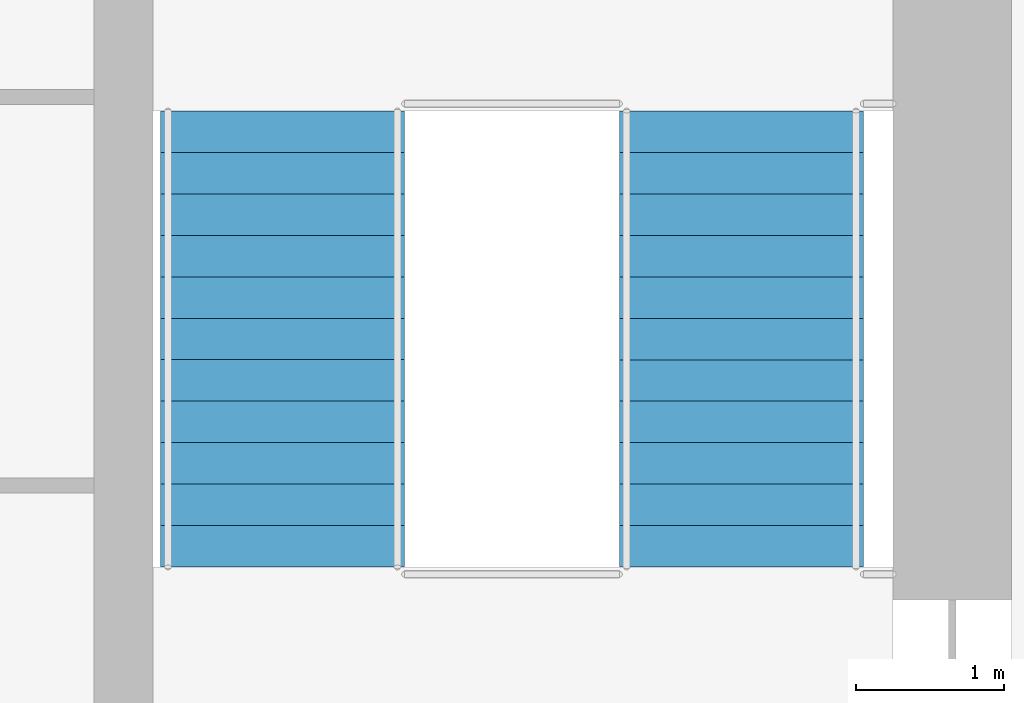
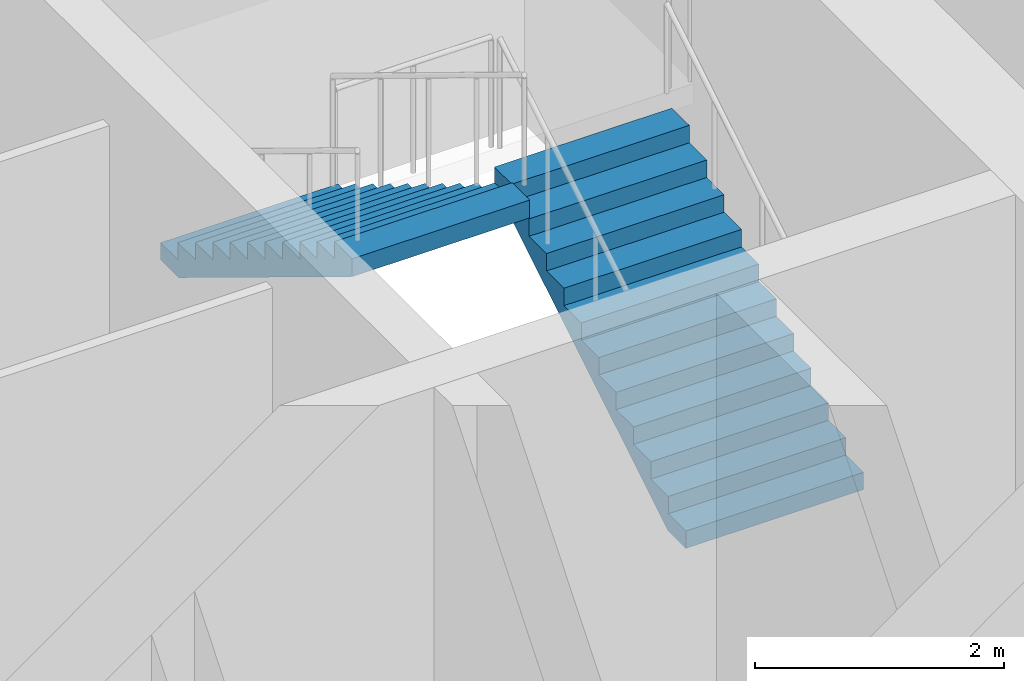
# One storey, part 9 of 18: 2 stair flights, 1 element without a shape of its own.
"""IFC4 building model written with IfcOpenShell, lengths in metres."""

from ifc_helpers import new_model, si_unit, direction, frame, origin, place, context, subcontext, project, spatial, polyline, outline, extrude, material, type_object, element, aggregate, save


model = new_model("IFC4")

# Units and contexts
model_context = context("Model", 3, precision=1e-05, world=origin(), true_north=direction((0.0, 1.0)))
body_context = subcontext(model_context, "Body", "Model", "MODEL_VIEW")
ifc_project = project(units=[si_unit("LENGTHUNIT", "METRE"), si_unit("AREAUNIT", "SQUARE_METRE"), si_unit("VOLUMEUNIT", "CUBIC_METRE"), si_unit("PLANEANGLEUNIT", "RADIAN"), si_unit("MASSUNIT", "GRAM", prefix="KILO")], contexts=[model_context])

# Site, building, storey
site_placement = place(None, origin())
site = spatial("IfcSite", under=ifc_project, at=site_placement, CompositionType="ELEMENT")
building_placement = place(site_placement, origin())
building = spatial("IfcBuilding", under=site, at=building_placement, Name="Corbel Stack Research Tower", CompositionType="ELEMENT")
storey_placement = place(building_placement, frame((0.0, 0.0, 181.39990234375)))
storey = spatial("IfcBuildingStorey", under=building, at=storey_placement, Name="L41", CompositionType="ELEMENT", Elevation=181.39990234375)

# Stair, stair flights
ifc_material_1 = material(Name="Concrete C40/50", Category="concrete")
stair_type = type_object("IfcStairType", Name="Exit stair 24 risers", PredefinedType="HALF_TURN_STAIR", material=ifc_material_1)
stair_placement = place(storey_placement, origin())
stair = element("IfcStair", 1, at=stair_placement, inside=storey, type_object=stair_type, Name="L41 Exit stair ST-E2", PredefinedType="HALF_TURN_STAIR")
ifc_material_2 = material(Name="Concrete C40/50", Category="concrete")
stair_flight_type = type_object("IfcStairFlightType", Name="Stair flight 12 risers", PredefinedType="STRAIGHT", material=ifc_material_2)
stair_flight_1_placement = place(storey_placement, frame((16.175048828125, 11.89990234375, 0.0), z_axis=(0.0, 0.0, 1.0), x_axis=(0.0, 1.0, 0.0)))
stair_flight_1 = element("IfcStairFlight", 2, at=stair_flight_1_placement, type_object=stair_flight_type, Name="ST-E2 flight 1", NumberOfRisers=12, NumberOfTreads=11, PredefinedType="STRAIGHT", RiserHeight=0.170833333, TreadLength=0.28, context=body_context, shape_type="SweptSolid", body=[
    extrude(outline(polyline([(0.0, 0.0), (0.0, 0.1708984375), (0.280029296875, 0.1708984375), (0.280029296875, 0.341552734375), (0.56005859375, 0.341552734375), (0.56005859375, 0.512451171875), (0.840087890625, 0.512451171875), (0.840087890625, 0.683349609375), (1.1201171875, 0.683349609375), (1.1201171875, 0.854248046875), (1.39990234375, 0.854248046875), (1.39990234375, 1.02490234375), (1.679931640625, 1.02490234375), (1.679931640625, 1.19580078125), (1.9599609375, 1.19580078125), (1.9599609375, 1.36669921875), (2.239990234375, 1.36669921875), (2.239990234375, 1.53759765625), (2.52001953125, 1.53759765625), (2.52001953125, 1.708251953125), (2.800048828125, 1.708251953125), (2.800048828125, 1.879150390625), (3.080078125, 1.879150390625), (3.080078125, 2.050048828125), (3.080078125, 1.70361328125), (0.287841796875, 0.0), (0.0, 0.0)])), frame((0.0, 0.824951171875, 0.0), z_axis=(0.0, -1.0, 0.0), x_axis=(1.0, 0.0, 0.0)), (0.0, 0.0, 1.0), 1.64990234375),
])
stair_flight_2_placement = place(storey_placement, frame((13.074951171875, 14.97998046875, 2.050048828125), z_axis=(0.0, 0.0, 1.0), x_axis=(0.0, -1.0, 0.0)))
stair_flight_2 = element("IfcStairFlight", 3, at=stair_flight_2_placement, type_object=stair_flight_type, Name="ST-E2 flight 2", NumberOfRisers=12, NumberOfTreads=11, PredefinedType="STRAIGHT", RiserHeight=0.170833333, TreadLength=0.28, context=body_context, shape_type="SweptSolid", body=[
    extrude(outline(polyline([(0.0, 0.0), (0.0, 0.1708984375), (0.280029296875, 0.1708984375), (0.280029296875, 0.341552734375), (0.56005859375, 0.341552734375), (0.56005859375, 0.512451171875), (0.840087890625, 0.512451171875), (0.840087890625, 0.683349609375), (1.1201171875, 0.683349609375), (1.1201171875, 0.854248046875), (1.39990234375, 0.854248046875), (1.39990234375, 1.02490234375), (1.679931640625, 1.02490234375), (1.679931640625, 1.19580078125), (1.9599609375, 1.19580078125), (1.9599609375, 1.36669921875), (2.239990234375, 1.36669921875), (2.239990234375, 1.53759765625), (2.52001953125, 1.53759765625), (2.52001953125, 1.708251953125), (2.800048828125, 1.708251953125), (2.800048828125, 1.879150390625), (3.080078125, 1.879150390625), (3.080078125, 2.050048828125), (3.080078125, 1.70361328125), (0.287841796875, 0.0), (0.0, 0.0)])), frame((0.0, 0.824951171875, 0.0), z_axis=(0.0, -1.0, 0.0), x_axis=(1.0, 0.0, 0.0)), (0.0, 0.0, 1.0), 1.64990234375),
])
aggregate(stair, [stair_flight_1, stair_flight_2])

save(model, "model.ifc")
